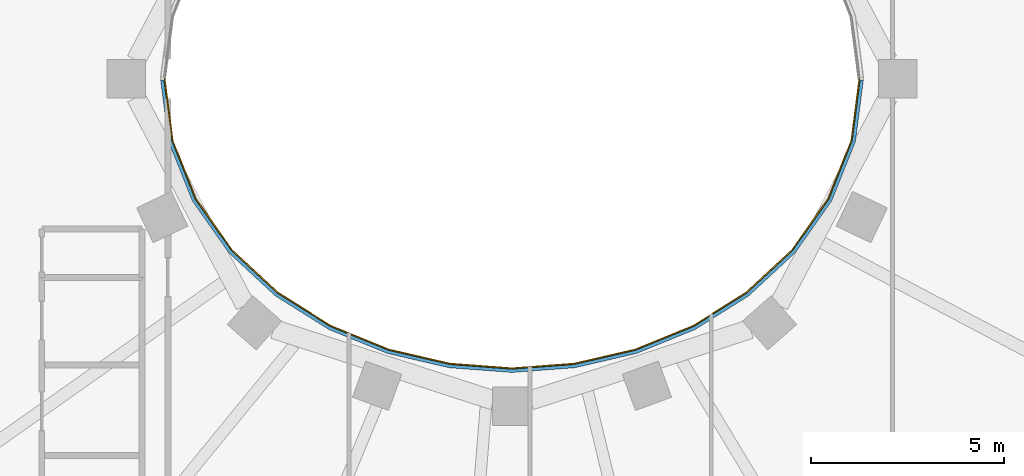
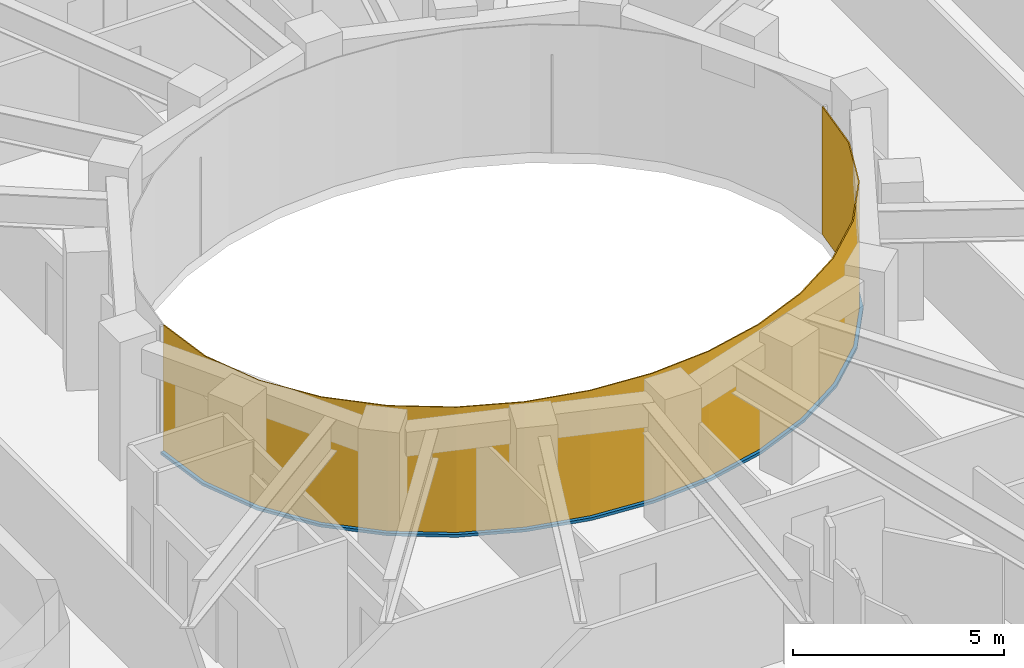
# One storey, part 10 of 16: 1 curtain wall, 1 member.
"""IFC4 building model written with IfcOpenShell, lengths in metres."""

from ifc_helpers import new_model, si_unit, direction, frame, origin, place, context, subcontext, project, spatial, polyline, outline, extrude, material, layer, layer_set, type_object, element, aggregate, save


model = new_model("IFC4")

# Units and contexts
model_context = context("Model", 3, precision=1e-05, world=origin(), true_north=direction((0.0, 1.0)))
body_context = subcontext(model_context, "Body", "Model", "MODEL_VIEW")
ifc_project = project(units=[si_unit("LENGTHUNIT", "METRE"), si_unit("AREAUNIT", "SQUARE_METRE"), si_unit("VOLUMEUNIT", "CUBIC_METRE"), si_unit("PLANEANGLEUNIT", "RADIAN"), si_unit("MASSUNIT", "GRAM", prefix="KILO")], contexts=[model_context])

# Member
ifc_material_1 = material(Name="Steel S355 fire-resisting frame", Category="steel")
member_type = type_object("IfcMemberType", Name="ENV-TRANSOM-W", PredefinedType="USERDEFINED", material=ifc_material_1)
site_placement = place(None, origin())
building_placement = place(site_placement, origin())
storey_placement = place(building_placement, frame((0.0, 0.0, 249.5)))
member_placement = place(storey_placement, origin())
member = element("IfcMember", 1, at=member_placement, type_object=member_type, Name="Transom W well 17-01", ObjectType="TRANSOM", PredefinedType="USERDEFINED", context=body_context, shape_type="SweptSolid", body=[
    extrude(outline(polyline([(-9.119384765625, -0.02783203125), (-8.910400390625, -1.63623046875), (-8.29833984375, -3.167236328125), (-7.35107421875, -4.5146484375), (-6.1455078125, -5.6337890625), (-4.75341796875, -6.50634765625), (-3.233642578125, -7.127685546875), (-1.635498046875, -7.498779296875), (0.0, -7.622314453125), (1.635498046875, -7.498779296875), (3.233642578125, -7.127685546875), (4.75341796875, -6.50634765625), (6.1455078125, -5.6337890625), (7.35107421875, -4.5146484375), (8.29833984375, -3.167236328125), (8.910400390625, -1.63623046875), (9.119384765625, -0.02783203125), (9.02880859375, -0.02783203125), (8.822509765625, -1.61328125), (8.21875, -3.124267578125), (7.282958984375, -4.455078125), (6.090576171875, -5.56201171875), (4.712158203125, -6.426025390625), (3.206298828125, -7.04150390625), (1.621826171875, -7.40966796875), (0.0, -7.531982421875), (-1.621826171875, -7.40966796875), (-3.206298828125, -7.04150390625), (-4.712158203125, -6.426025390625), (-6.090576171875, -5.56201171875), (-7.282958984375, -4.455078125), (-8.21875, -3.124267578125), (-8.822509765625, -1.61328125), (-9.02880859375, -0.02783203125), (-9.119384765625, -0.02783203125)])), origin(), (0.0, 0.0, 1.0), 0.080078125),
])

# Site, building, storey
site = spatial("IfcSite", under=ifc_project, at=site_placement, CompositionType="ELEMENT")
building = spatial("IfcBuilding", under=site, at=building_placement, Name="Noorbagh Ring Tower", CompositionType="ELEMENT")
storey = spatial("IfcBuildingStorey", under=building, at=storey_placement, Name="L52", CompositionType="ELEMENT", Elevation=249.5)

# Curtain wall
ifc_material_2 = material(Name="Glass fire-resisting E60 laminated", Category="glass")
ifc_layer = layer(ifc_material_2, 0.031982421875)
ifc_layer_set = layer_set([ifc_layer], Name="Glass fire-resisting E60 laminated")
curtain_wall_type = type_object("IfcCurtainWallType", Name="ENV-CW-W", PredefinedType="NOTDEFINED", material=ifc_layer_set)
curtain_wall_placement = place(storey_placement, origin())
curtain_wall = element("IfcCurtainWall", 2, at=curtain_wall_placement, inside=storey, type_object=curtain_wall_type, Name="Curtain wall W W17", PredefinedType="NOTDEFINED", context=body_context, shape_type="SweptSolid", body=[
    extrude(outline(polyline([(-9.0322265625, 0.0), (-8.822509765625, -1.61328125), (-8.21875, -3.124267578125), (-7.282958984375, -4.455078125), (-6.090576171875, -5.56201171875), (-4.712158203125, -6.426025390625), (-3.206298828125, -7.04150390625), (-1.621826171875, -7.40966796875), (0.0, -7.531982421875), (1.621826171875, -7.40966796875), (3.206298828125, -7.04150390625), (4.712158203125, -6.426025390625), (6.090576171875, -5.56201171875), (7.282958984375, -4.455078125), (8.21875, -3.124267578125), (8.822509765625, -1.61328125), (9.0322265625, 0.0), (9.0, 0.0), (8.79150390625, -1.605224609375), (8.1904296875, -3.10888671875), (7.2587890625, -4.43408203125), (6.071044921875, -5.53662109375), (4.697509765625, -6.3974609375), (3.196533203125, -7.010986328125), (1.6171875, -7.3779296875), (0.0, -7.5), (-1.6171875, -7.3779296875), (-3.196533203125, -7.010986328125), (-4.697509765625, -6.3974609375), (-6.071044921875, -5.53662109375), (-7.2587890625, -4.43408203125), (-8.1904296875, -3.10888671875), (-8.79150390625, -1.605224609375), (-9.0, 0.0), (-9.0322265625, 0.0)])), origin(), (0.0, 0.0, 1.0), 3.699951171875),
])

aggregate(curtain_wall, [member])

save(model, "model.ifc")
